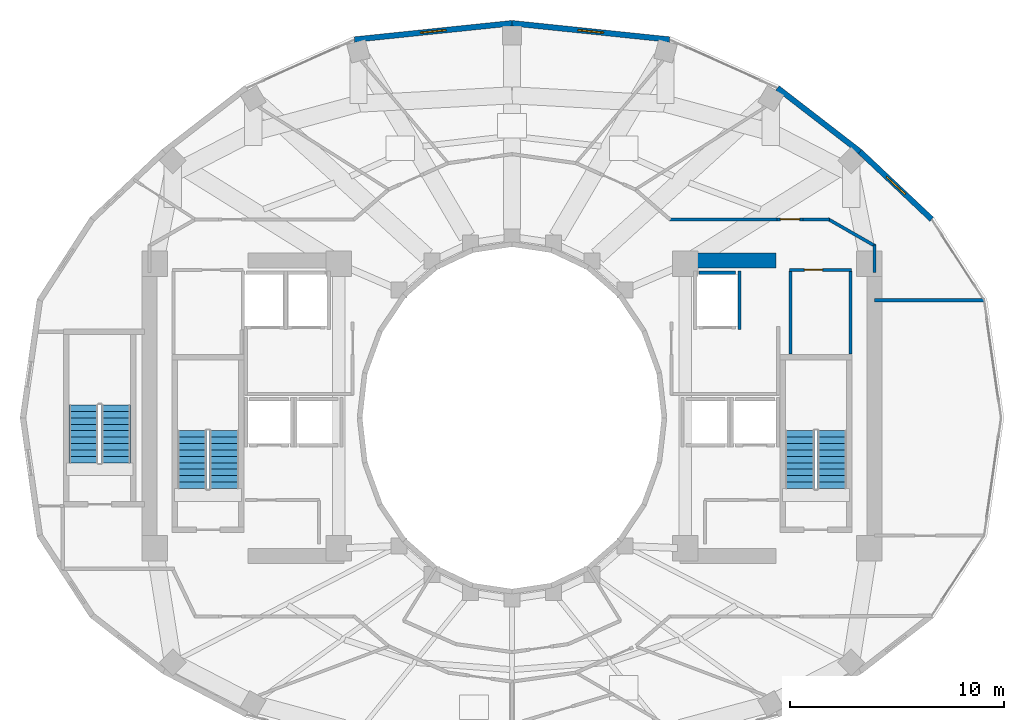
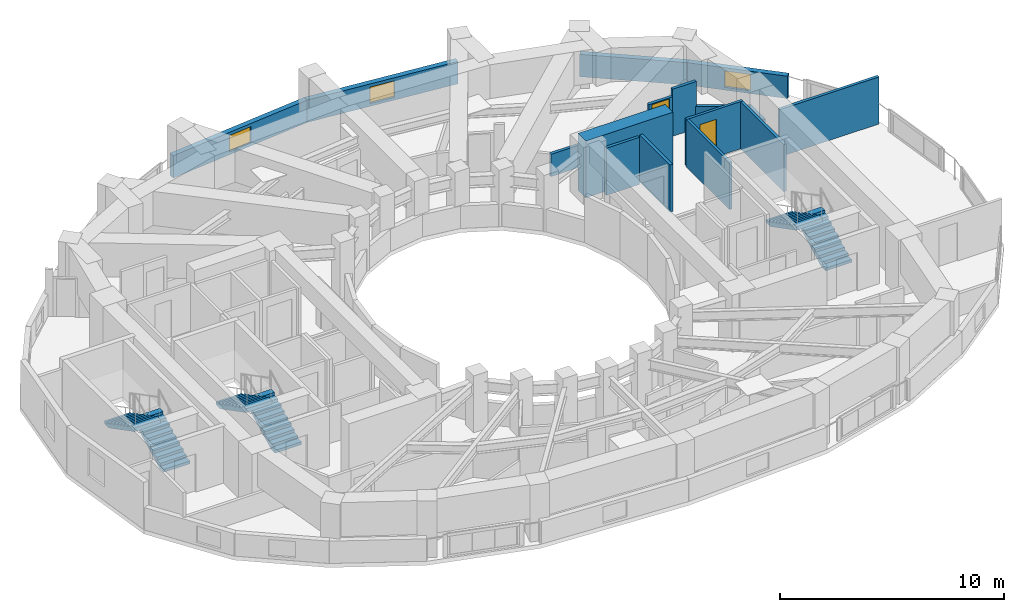
# One storey, part 17 of 20: 16 walls, 6 stair flights, 3 windows, 2 doors, 5 openings, 3 elements without a shape of their own.
"""IFC4 building model written with IfcOpenShell, lengths in metres."""

from ifc_helpers import new_model, si_unit, direction, frame, frame_2d, origin, place, context, subcontext, project, spatial, polyline, rectangle, outline, extrude, material, layer, layer_set, type_object, element, fill, aggregate, save


model = new_model("IFC4")

# Units and contexts
model_context = context("Model", 3, precision=1e-05, world=origin(), true_north=direction((0.0, 1.0)))
body_context = subcontext(model_context, "Body", "Model", "MODEL_VIEW")
ifc_project = project(units=[si_unit("LENGTHUNIT", "METRE"), si_unit("AREAUNIT", "SQUARE_METRE"), si_unit("VOLUMEUNIT", "CUBIC_METRE"), si_unit("PLANEANGLEUNIT", "RADIAN"), si_unit("MASSUNIT", "GRAM", prefix="KILO")], contexts=[model_context])

# Site, building, storey
site_placement = place(None, origin())
site = spatial("IfcSite", under=ifc_project, at=site_placement, CompositionType="ELEMENT")
building_placement = place(site_placement, origin())
building = spatial("IfcBuilding", under=site, at=building_placement, Name="Solvane Sanctuary Tower", CompositionType="ELEMENT")
storey_placement = place(building_placement, frame((0.0, 0.0, 159.10009765625)))
storey = spatial("IfcBuildingStorey", under=building, at=storey_placement, Name="L48", CompositionType="ELEMENT", Elevation=159.10009765625)

# Walls
ifc_material_1 = material(Name="Concrete C60/75", Category="concrete")
ifc_layer_1 = layer(ifc_material_1, 0.699951171875, Name="Concrete C60/75")
ifc_layer_set_1 = layer_set([ifc_layer_1], Name="Concrete C60/75")
wall_type_1 = type_object("IfcWallType", Name="Wall W-CORE-700", PredefinedType="SHEAR", material=ifc_layer_set_1)
wall_1_placement = place(storey_placement, frame((39.85009765625, 30.35009765625, 0.0), z_axis=(0.0, 0.0, 1.0), x_axis=(1.0, 0.0, 0.0)))
element("IfcWall", 1, at=wall_1_placement, inside=storey, type_object=wall_type_1, Name="L48 Core Shear Wall EC-N", PredefinedType="SHEAR", context=body_context, shape_type="SweptSolid", body=[
    extrude(rectangle(XDim=4.5, YDim=0.699951171875, at=frame_2d((2.25, 0.0))), origin(), (0.0, 0.0, 1.0), 3.099853515625),
])
ifc_material_2 = material(Name="Acoustic Gypsum Partition Board")
ifc_layer_2 = layer(ifc_material_2, 0.14990234375, Name="Acoustic Gypsum Partition Board")
ifc_layer_set_2 = layer_set([ifc_layer_2], Name="Acoustic Gypsum Partition Board")
wall_type_2 = type_object("IfcWallType", Name="Wall W-CORR-150", PredefinedType="PARTITIONING", material=ifc_layer_set_2)
wall_2_placement = place(storey_placement, frame((48.949951171875, 28.5029296875, 0.0), z_axis=(0.0, 0.0, 1.0), x_axis=(1.0, 0.0, 0.0)))
element("IfcWall", 2, at=wall_2_placement, inside=storey, type_object=wall_type_2, Name="L48 East Shoulder North Wall", PredefinedType="PARTITIONING", context=body_context, shape_type="SweptSolid", body=[
    extrude(rectangle(XDim=5.14013671875, YDim=0.14990234375, at=frame_2d((2.570068359375, 0.0))), origin(), (0.0, 0.0, 1.0), 2.574951171875),
])
wall_3_placement = place(storey_placement, frame((48.949951171875, 29.800048828125, 0.0), z_axis=(0.0, 0.0, 1.0), x_axis=(0.0, 1.0, 0.0)))
element("IfcWall", 3, at=wall_3_placement, inside=storey, type_object=wall_type_2, Name="L48 NE Corner Closer 1", PredefinedType="PARTITIONING", context=body_context, shape_type="SweptSolid", body=[
    extrude(rectangle(XDim=1.2900390625, YDim=0.14990234375, at=frame_2d((0.64501953125, 0.0))), origin(), (0.0, 0.0, 1.0), 1.219970703125),
])
wall_4_placement = place(storey_placement, frame((39.330078125, 32.280029296875, 0.0), z_axis=(0.0, 0.0, 1.0), x_axis=(1.0, 0.0, 0.0)))
element("IfcWall", 4, at=wall_4_placement, inside=storey, type_object=wall_type_2, Name="L48 NE Corner Corridor Wall", PredefinedType="PARTITIONING", context=body_context, shape_type="SweptSolid", body=[
    extrude(rectangle(XDim=5.059814453125, YDim=0.14990234375, at=frame_2d((2.52978515625, 0.0))), origin(), (0.0, 0.0, 1.0), 1.219970703125),
])

# Wall, opening, door
wall_5_placement = place(storey_placement, frame((44.389892578125, 32.280029296875, 0.0), z_axis=(0.0, 0.0, 1.0), x_axis=(1.0, 0.0, 0.0)))
wall_5 = element("IfcWall", 5, at=wall_5_placement, inside=storey, type_object=wall_type_2, Name="L48 NE Corner Corridor Wall", PredefinedType="PARTITIONING", context=body_context, shape_type="SweptSolid", body=[
    extrude(rectangle(XDim=1.22021484375, YDim=0.14990234375, at=frame_2d((0.610107421875, 0.0))), origin(), (0.0, 0.0, 1.0), 2.159912109375),
])
opening_1_placement = place(wall_5_placement, frame((0.159912109375, 0.0, 0.0)))
opening_1 = element("IfcOpeningElement", 6, at=opening_1_placement, cuts=wall_5, Name="Opening D-L48-11", PredefinedType="OPENING", context=body_context, shape_type="SweptSolid", body=[
    extrude(rectangle(XDim=0.89990234375, YDim=2.10009765625, at=frame_2d((0.449951171875, 1.050048828125))), frame((0.0, 0.0849609375, 0.0), z_axis=(0.0, -1.0, 0.0), x_axis=(1.0, 0.0, 0.0)), (0.0, 0.0, 1.0), 0.169921875),
])
ifc_material_3 = material(Name="Engineered Tropical Hardwood", Category="wood")
door_type_1 = type_object("IfcDoorType", Name="Door D-WET-900", OperationType="NOTDEFINED", PredefinedType="DOOR", material=ifc_material_3)
door_1_placement = place(opening_1_placement, origin())
door_1 = element("IfcDoor", 7, at=door_1_placement, inside=storey, type_object=door_type_1, Name="L48 NE Corner Salon Door", OperationType="SINGLE_SWING_RIGHT", OverallHeight=2.10009765625, OverallWidth=0.89990234375, PredefinedType="DOOR", context=body_context, shape_type="SweptSolid", body=[
    extrude(rectangle(XDim=0.89990234375, YDim=2.10009765625, at=frame_2d((0.449951171875, 1.050048828125))), frame((0.0, 0.02490234375, 0.0), z_axis=(0.0, -1.0, 0.0), x_axis=(1.0, 0.0, 0.0)), (0.0, 0.0, 1.0), 0.050048828125),
])
fill(opening_1, door_1)

# Walls
wall_6_placement = place(storey_placement, frame((45.610107421875, 32.280029296875, 0.0), z_axis=(0.0, 0.0, 1.0), x_axis=(1.0, 0.0, 0.0)))
element("IfcWall", 8, at=wall_6_placement, inside=storey, type_object=wall_type_2, Name="L48 NE Corner Corridor Wall", PredefinedType="PARTITIONING", context=body_context, shape_type="SweptSolid", body=[
    extrude(rectangle(XDim=1.239990234375, YDim=0.14990234375, at=frame_2d((0.6201171875, 0.0))), origin(), (0.0, 0.0, 1.0), 2.574951171875),
])
wall_7_placement = place(storey_placement, frame((46.756591796875, 32.3046875, 0.0), z_axis=(0.0, 0.0, 1.0), x_axis=(0.867991349648, -0.496579315857, 0.0)))
element("IfcWall", 9, at=wall_7_placement, inside=storey, type_object=wall_type_2, Name="L48 NE Corner Wing Wall", PredefinedType="PARTITIONING", context=body_context, shape_type="SweptSolid", body=[
    extrude(rectangle(XDim=2.56689453125, YDim=0.14990234375, at=frame_2d((1.283447265625, 0.0))), origin(), (0.0, 0.0, 1.0), 1.219970703125),
])

# Wall, opening, window
ifc_material_4 = material(Name="Precast concrete C40/50", Category="concrete")
ifc_layer_3 = layer(ifc_material_4, 0.260009765625, Name="Precast concrete C40/50")
ifc_layer_set_3 = layer_set([ifc_layer_3], Name="Precast concrete C40/50")
wall_type_3 = type_object("IfcWallType", Name="Wall W-EXT-250", PredefinedType="STANDARD", material=ifc_layer_set_3)
wall_8_placement = place(storey_placement, frame((51.619140625, 32.28369140625, 0.0), z_axis=(0.0, 0.0, 1.0), x_axis=(-0.727667301037, 0.68593024354, 0.0)))
wall_8 = element("IfcWall", 10, at=wall_8_placement, inside=storey, type_object=wall_type_3, Name="L48 Ceramic-Printed Facade Wall 02", PredefinedType="STANDARD", context=body_context, shape_type="SweptSolid", body=[
    extrude(rectangle(XDim=4.603515625, YDim=0.260009765625, at=frame_2d((2.3017578125, 0.0))), origin(), (0.0, 0.0, 1.0), 1.219970703125),
])
opening_2_placement = place(wall_8_placement, frame((1.70166015625, 0.0, 0.14990234375)))
opening_2 = element("IfcOpeningElement", 11, at=opening_2_placement, cuts=wall_8, Name="Opening WN-OPER-1200", PredefinedType="OPENING", context=body_context, shape_type="SweptSolid", body=[
    extrude(rectangle(XDim=1.199951171875, YDim=0.89990234375, at=frame_2d((0.60009765625, 0.449951171875))), frame((0.0, 0.139892578125, 0.0), z_axis=(0.0, -1.0, 0.0), x_axis=(1.0, 0.0, 0.0)), (0.0, 0.0, 1.0), 0.280029296875),
])
ifc_material_5 = material(Name="Dark Ceramic-Fritted Low-E Glass", Category="glass")
window_type = type_object("IfcWindowType", Name="Window WN-OPER-1200", PartitioningType="SINGLE_PANEL", PredefinedType="WINDOW", material=ifc_material_5)
window_1_placement = place(opening_2_placement, origin())
window_1 = element("IfcWindow", 12, at=window_1_placement, inside=storey, type_object=window_type, Name="L48 Operable Facade Window 02", OverallHeight=0.89990234375, OverallWidth=1.199951171875, PartitioningType="SINGLE_PANEL", PredefinedType="WINDOW", context=body_context, shape_type="SweptSolid", body=[
    extrude(rectangle(XDim=1.199951171875, YDim=0.89990234375, at=frame_2d((0.60009765625, 0.449951171875))), frame((0.0, 0.030029296875, 0.0), z_axis=(0.0, -1.0, 0.0), x_axis=(1.0, 0.0, 0.0)), (0.0, 0.0, 1.0), 0.06005859375),
])
fill(opening_2, window_1)

# Wall
wall_9_placement = place(storey_placement, frame((48.269287109375, 35.44140625, 0.0), z_axis=(0.0, 0.0, 1.0), x_axis=(-0.791460185804, 0.611220724687, 0.0)))
element("IfcWall", 13, at=wall_9_placement, inside=storey, type_object=wall_type_3, Name="L48 Ceramic-Printed Facade Wall 03", PredefinedType="STANDARD", context=body_context, shape_type="SweptSolid", body=[
    extrude(rectangle(XDim=4.872314453125, YDim=0.260009765625, at=frame_2d((2.43603515625, 0.0))), origin(), (0.0, 0.0, 1.0), 1.219970703125),
])

# Wall, opening, window
wall_10_placement = place(storey_placement, frame((39.365234375, 40.6845703125, 0.0), z_axis=(0.0, 0.0, 1.0), x_axis=(-0.994664178965, 0.10316574569, 0.0)))
wall_10 = element("IfcWall", 14, at=wall_10_placement, inside=storey, type_object=wall_type_3, Name="L48 Ceramic-Printed Facade Wall 05", PredefinedType="STANDARD", context=body_context, shape_type="SweptSolid", body=[
    extrude(rectangle(XDim=7.40478515625, YDim=0.260009765625, at=frame_2d((3.702392578125, 0.0))), origin(), (0.0, 0.0, 1.0), 1.219970703125),
])
opening_3_placement = place(wall_10_placement, frame((3.102294921875, 0.0, 0.14990234375)))
opening_3 = element("IfcOpeningElement", 15, at=opening_3_placement, cuts=wall_10, Name="Opening WN-OPER-1200", PredefinedType="OPENING", context=body_context, shape_type="SweptSolid", body=[
    extrude(rectangle(XDim=1.199951171875, YDim=0.89990234375, at=frame_2d((0.60009765625, 0.449951171875))), frame((0.0, 0.139892578125, 0.0), z_axis=(0.0, -1.0, 0.0), x_axis=(1.0, 0.0, 0.0)), (0.0, 0.0, 1.0), 0.280029296875),
])
window_2_placement = place(opening_3_placement, origin())
window_2 = element("IfcWindow", 16, at=window_2_placement, inside=storey, type_object=window_type, Name="L48 Operable Facade Window 05", OverallHeight=0.89990234375, OverallWidth=1.199951171875, PartitioningType="SINGLE_PANEL", PredefinedType="WINDOW", context=body_context, shape_type="SweptSolid", body=[
    extrude(rectangle(XDim=1.199951171875, YDim=0.89990234375, at=frame_2d((0.60009765625, 0.449951171875))), frame((0.0, 0.030029296875, 0.0), z_axis=(0.0, -1.0, 0.0), x_axis=(1.0, 0.0, 0.0)), (0.0, 0.0, 1.0), 0.06005859375),
])
fill(opening_3, window_2)

wall_11_placement = place(storey_placement, frame((32.0, 41.448486328125, 0.0), z_axis=(0.0, 0.0, 1.0), x_axis=(-0.994664178965, -0.10316574569, 0.0)))
wall_11 = element("IfcWall", 17, at=wall_11_placement, inside=storey, type_object=wall_type_3, Name="L48 Ceramic-Printed Facade Wall 06", PredefinedType="STANDARD", context=body_context, shape_type="SweptSolid", body=[
    extrude(rectangle(XDim=7.40478515625, YDim=0.260009765625, at=frame_2d((3.702392578125, 0.0))), origin(), (0.0, 0.0, 1.0), 1.219970703125),
])
opening_4_placement = place(wall_11_placement, frame((3.102294921875, 0.0, 0.14990234375)))
opening_4 = element("IfcOpeningElement", 18, at=opening_4_placement, cuts=wall_11, Name="Opening WN-OPER-1200", PredefinedType="OPENING", context=body_context, shape_type="SweptSolid", body=[
    extrude(rectangle(XDim=1.199951171875, YDim=0.89990234375, at=frame_2d((0.60009765625, 0.449951171875))), frame((0.0, 0.139892578125, 0.0), z_axis=(0.0, -1.0, 0.0), x_axis=(1.0, 0.0, 0.0)), (0.0, 0.0, 1.0), 0.280029296875),
])
window_3_placement = place(opening_4_placement, origin())
window_3 = element("IfcWindow", 19, at=window_3_placement, inside=storey, type_object=window_type, Name="L48 Operable Facade Window 06", OverallHeight=0.89990234375, OverallWidth=1.199951171875, PartitioningType="SINGLE_PANEL", PredefinedType="WINDOW", context=body_context, shape_type="SweptSolid", body=[
    extrude(rectangle(XDim=1.199951171875, YDim=0.89990234375, at=frame_2d((0.60009765625, 0.449951171875))), frame((0.0, 0.030029296875, 0.0), z_axis=(0.0, -1.0, 0.0), x_axis=(1.0, 0.0, 0.0)), (0.0, 0.0, 1.0), 0.06005859375),
])
fill(opening_4, window_3)

# Walls
ifc_material_6 = material(Name="Concrete C50/60", Category="concrete")
ifc_layer_4 = layer(ifc_material_6, 0.14990234375, Name="Concrete C50/60")
ifc_layer_set_4 = layer_set([ifc_layer_4], Name="Concrete C50/60")
wall_type_4 = type_object("IfcWallType", Name="Wall W-SHAFT-150", PredefinedType="SOLIDWALL", material=ifc_layer_set_4)
wall_12_placement = place(storey_placement, frame((40.739990234375, 29.780029296875, 0.0), z_axis=(0.0, 0.0, 1.0), x_axis=(1.0, 0.0, 0.0)))
element("IfcWall", 20, at=wall_12_placement, inside=storey, type_object=wall_type_4, Name="L48 FFL-2 Lift Shaft Wall B", PredefinedType="SOLIDWALL", context=body_context, shape_type="SweptSolid", body=[
    extrude(rectangle(XDim=1.719970703125, YDim=0.14990234375, at=frame_2d((0.85986328125, 0.0))), origin(), (0.0, 0.0, 1.0), 2.574951171875),
])
wall_13_placement = place(storey_placement, frame((42.6298828125, 27.139892578125, 0.0), z_axis=(0.0, 0.0, 1.0), x_axis=(0.0, 1.0, 0.0)))
element("IfcWall", 21, at=wall_13_placement, inside=storey, type_object=wall_type_4, Name="L48 FFL-2 Lift Shaft Wall S2", PredefinedType="SOLIDWALL", context=body_context, shape_type="SweptSolid", body=[
    extrude(rectangle(XDim=2.72021484375, YDim=0.14990234375, at=frame_2d((1.360107421875, 0.0))), origin(), (0.0, 0.0, 1.0), 2.574951171875),
])

# Wall, opening, door
ifc_layer_5 = layer(ifc_material_2, 0.139892578125, Name="Acoustic Gypsum Partition Board")
ifc_layer_set_5 = layer_set([ifc_layer_5], Name="Acoustic Gypsum Partition Board")
wall_type_5 = type_object("IfcWallType", Name="Wall W-WET-140", PredefinedType="PLUMBINGWALL", material=ifc_layer_set_5)
wall_14_placement = place(storey_placement, frame((44.97998046875, 29.919921875, 0.0), z_axis=(0.0, 0.0, 1.0), x_axis=(1.0, 0.0, 0.0)))
wall_14 = element("IfcWall", 22, at=wall_14_placement, inside=storey, type_object=wall_type_5, Name="L48 Core Service Front Wall KE0", PredefinedType="PLUMBINGWALL", context=body_context, shape_type="SweptSolid", body=[
    extrude(rectangle(XDim=2.89990234375, YDim=0.139892578125, at=frame_2d((1.449951171875, 0.0))), origin(), (0.0, 0.0, 1.0), 2.574951171875),
])
opening_5_placement = place(wall_14_placement, frame((0.685546875, 0.0, 0.0)))
opening_5 = element("IfcOpeningElement", 23, at=opening_5_placement, cuts=wall_14, Name="Opening D-L48-09", PredefinedType="OPENING", context=body_context, shape_type="SweptSolid", body=[
    extrude(rectangle(XDim=0.85009765625, YDim=2.050048828125, at=frame_2d((0.425048828125, 1.02490234375))), frame((0.0, 0.079833984375, 0.0), z_axis=(0.0, -1.0, 0.0), x_axis=(1.0, 0.0, 0.0)), (0.0, 0.0, 1.0), 0.159912109375),
])
ifc_material_7 = material(Name="Architectural Stainless Steel 316", Category="steel")
door_type_2 = type_object("IfcDoorType", Name="Door D-RISER", OperationType="NOTDEFINED", PredefinedType="DOOR", material=ifc_material_7)
door_2_placement = place(opening_5_placement, origin())
door_2 = element("IfcDoor", 24, at=door_2_placement, inside=storey, type_object=door_type_2, Name="L48 Core Service Room Door KE0-1", OperationType="SINGLE_SWING_RIGHT", OverallHeight=2.050048828125, OverallWidth=0.85009765625, PredefinedType="DOOR", context=body_context, shape_type="SweptSolid", body=[
    extrude(rectangle(XDim=0.85009765625, YDim=2.050048828125, at=frame_2d((0.425048828125, 1.02490234375))), frame((0.0, 0.02490234375, 0.0), z_axis=(0.0, -1.0, 0.0), x_axis=(1.0, 0.0, 0.0)), (0.0, 0.0, 1.0), 0.050048828125),
])
fill(opening_5, door_2)

# Walls
for number, where, z_axis, x_axis, name in (
    (25, (45.02001953125, 25.97998046875, 0.0), (0.0, 0.0, 1.0), (0.0, 1.0, 0.0), "L48 Core Service Side Wall KE0-1"),
    (26, (47.820068359375, 25.97998046875, 0.0), (0.0, 0.0, 1.0), (0.0, 1.0, 0.0), "L48 Core Service Side Wall KE0-2"),
):
    element("IfcWall", number, at=place(storey_placement, frame(where, z_axis=z_axis, x_axis=x_axis)), inside=storey, type_object=wall_type_5, Name=name, PredefinedType="PLUMBINGWALL", context=body_context, shape_type="SweptSolid", body=[
        extrude(rectangle(XDim=3.880126953125, YDim=0.139892578125, at=frame_2d((1.93994140625, 0.0))), origin(), (0.0, 0.0, 1.0), 2.574951171875),
    ])

# Stair, stair flights
ifc_material_8 = material(Name="Concrete C45/55", Category="concrete")
stair_type = type_object("IfcStairType", Name="Stair ST-TOW", PredefinedType="HALF_TURN_STAIR", material=ifc_material_8)
stair_1_placement = place(storey_placement, origin())
stair_1 = element("IfcStair", 27, at=stair_1_placement, inside=storey, type_object=stair_type, Name="L48 Exit Stair ST-1 West Core", PredefinedType="HALF_TURN_STAIR")
stair_flight_type = type_object("IfcStairFlightType", Name="StairFlight SF-TOW", PredefinedType="STRAIGHT", material=ifc_material_8)
stair_flight_1_placement = place(storey_placement, frame((18.544921875, 19.699951171875, 0.0), z_axis=(0.0, 0.0, 1.0), x_axis=(0.0, 1.0, 0.0)))
stair_flight_1 = element("IfcStairFlight", 28, at=stair_flight_1_placement, type_object=stair_flight_type, Name="ST-1 flight 1", NumberOfRisers=10, NumberOfTreads=9, PredefinedType="STRAIGHT", RiserHeight=0.155, TreadLength=0.3, context=body_context, shape_type="SweptSolid", body=[
    extrude(outline(polyline([(0.0, 0.0), (0.0, 0.155029296875), (0.300048828125, 0.155029296875), (0.300048828125, 0.31005859375), (0.60009765625, 0.31005859375), (0.60009765625, 0.465087890625), (0.89990234375, 0.465087890625), (0.89990234375, 0.6201171875), (1.199951171875, 0.6201171875), (1.199951171875, 0.77490234375), (1.5, 0.77490234375), (1.5, 0.929931640625), (1.800048828125, 0.929931640625), (1.800048828125, 1.0849609375), (2.10009765625, 1.0849609375), (2.10009765625, 1.239990234375), (2.39990234375, 1.239990234375), (2.39990234375, 1.39501953125), (2.699951171875, 1.39501953125), (2.699951171875, 1.550048828125), (2.699951171875, 1.1923828125), (0.39208984375, 0.0), (0.0, 0.0)])), frame((0.0, 0.675048828125, 0.0), z_axis=(0.0, -1.0, 0.0), x_axis=(1.0, 0.0, 0.0)), (0.0, 0.0, 1.0), 1.35009765625),
])
stair_flight_2_placement = place(storey_placement, frame((17.034912109375, 22.39990234375, 1.5498046875), z_axis=(0.0, 0.0, 1.0), x_axis=(0.0, -1.0, 0.0)))
stair_flight_2 = element("IfcStairFlight", 29, at=stair_flight_2_placement, type_object=stair_flight_type, Name="ST-1 flight 2", NumberOfRisers=10, NumberOfTreads=9, PredefinedType="STRAIGHT", RiserHeight=0.155, TreadLength=0.3, context=body_context, shape_type="SweptSolid", body=[
    extrude(outline(polyline([(0.0, 0.0), (0.0, 0.155029296875), (0.300048828125, 0.155029296875), (0.300048828125, 0.31005859375), (0.60009765625, 0.31005859375), (0.60009765625, 0.465087890625), (0.89990234375, 0.465087890625), (0.89990234375, 0.6201171875), (1.199951171875, 0.6201171875), (1.199951171875, 0.77490234375), (1.5, 0.77490234375), (1.5, 0.929931640625), (1.800048828125, 0.929931640625), (1.800048828125, 1.0849609375), (2.10009765625, 1.0849609375), (2.10009765625, 1.239990234375), (2.39990234375, 1.239990234375), (2.39990234375, 1.39501953125), (2.699951171875, 1.39501953125), (2.699951171875, 1.550048828125), (2.699951171875, 1.1923828125), (0.39208984375, 0.0), (0.0, 0.0)])), frame((0.0, 0.675048828125, 0.0), z_axis=(0.0, -1.0, 0.0), x_axis=(1.0, 0.0, 0.0)), (0.0, 0.0, 1.0), 1.35009765625),
])
aggregate(stair_1, [stair_flight_1, stair_flight_2])

stair_2_placement = place(storey_placement, origin())
stair_2 = element("IfcStair", 30, at=stair_2_placement, inside=storey, type_object=stair_type, Name="L48 Exit Stair ST-2 East Core", PredefinedType="HALF_TURN_STAIR")
stair_flight_3_placement = place(storey_placement, frame((46.965087890625, 19.699951171875, 0.0), z_axis=(0.0, 0.0, 1.0), x_axis=(0.0, 1.0, 0.0)))
stair_flight_3 = element("IfcStairFlight", 31, at=stair_flight_3_placement, type_object=stair_flight_type, Name="ST-2 flight 1", NumberOfRisers=10, NumberOfTreads=9, PredefinedType="STRAIGHT", RiserHeight=0.155, TreadLength=0.3, context=body_context, shape_type="SweptSolid", body=[
    extrude(outline(polyline([(0.0, 0.0), (0.0, 0.155029296875), (0.300048828125, 0.155029296875), (0.300048828125, 0.31005859375), (0.60009765625, 0.31005859375), (0.60009765625, 0.465087890625), (0.89990234375, 0.465087890625), (0.89990234375, 0.6201171875), (1.199951171875, 0.6201171875), (1.199951171875, 0.77490234375), (1.5, 0.77490234375), (1.5, 0.929931640625), (1.800048828125, 0.929931640625), (1.800048828125, 1.0849609375), (2.10009765625, 1.0849609375), (2.10009765625, 1.239990234375), (2.39990234375, 1.239990234375), (2.39990234375, 1.39501953125), (2.699951171875, 1.39501953125), (2.699951171875, 1.550048828125), (2.699951171875, 1.1923828125), (0.39208984375, 0.0), (0.0, 0.0)])), frame((0.0, 0.675048828125, 0.0), z_axis=(0.0, -1.0, 0.0), x_axis=(1.0, 0.0, 0.0)), (0.0, 0.0, 1.0), 1.35009765625),
])
stair_flight_4_placement = place(storey_placement, frame((45.455078125, 22.39990234375, 1.5498046875), z_axis=(0.0, 0.0, 1.0), x_axis=(0.0, -1.0, 0.0)))
stair_flight_4 = element("IfcStairFlight", 32, at=stair_flight_4_placement, type_object=stair_flight_type, Name="ST-2 flight 2", NumberOfRisers=10, NumberOfTreads=9, PredefinedType="STRAIGHT", RiserHeight=0.155, TreadLength=0.3, context=body_context, shape_type="SweptSolid", body=[
    extrude(outline(polyline([(0.0, 0.0), (0.0, 0.155029296875), (0.300048828125, 0.155029296875), (0.300048828125, 0.31005859375), (0.60009765625, 0.31005859375), (0.60009765625, 0.465087890625), (0.89990234375, 0.465087890625), (0.89990234375, 0.6201171875), (1.199951171875, 0.6201171875), (1.199951171875, 0.77490234375), (1.5, 0.77490234375), (1.5, 0.929931640625), (1.800048828125, 0.929931640625), (1.800048828125, 1.0849609375), (2.10009765625, 1.0849609375), (2.10009765625, 1.239990234375), (2.39990234375, 1.239990234375), (2.39990234375, 1.39501953125), (2.699951171875, 1.39501953125), (2.699951171875, 1.550048828125), (2.699951171875, 1.1923828125), (0.39208984375, 0.0), (0.0, 0.0)])), frame((0.0, 0.675048828125, 0.0), z_axis=(0.0, -1.0, 0.0), x_axis=(1.0, 0.0, 0.0)), (0.0, 0.0, 1.0), 1.35009765625),
])
aggregate(stair_2, [stair_flight_3, stair_flight_4])

stair_3_placement = place(storey_placement, origin())
stair_3 = element("IfcStair", 33, at=stair_3_placement, inside=storey, type_object=stair_type, Name="L48 Exit Stair ST-3 Pilgrim Tower Stair", PredefinedType="HALF_TURN_STAIR")
stair_flight_5_placement = place(storey_placement, frame((13.485107421875, 20.89990234375, 0.0), z_axis=(0.0, 0.0, 1.0), x_axis=(0.0, 1.0, 0.0)))
stair_flight_5 = element("IfcStairFlight", 34, at=stair_flight_5_placement, type_object=stair_flight_type, Name="ST-3 flight 1", NumberOfRisers=10, NumberOfTreads=9, PredefinedType="STRAIGHT", RiserHeight=0.155, TreadLength=0.3, context=body_context, shape_type="SweptSolid", body=[
    extrude(outline(polyline([(0.0, 0.0), (0.0, 0.155029296875), (0.300048828125, 0.155029296875), (0.300048828125, 0.31005859375), (0.60009765625, 0.31005859375), (0.60009765625, 0.465087890625), (0.89990234375, 0.465087890625), (0.89990234375, 0.6201171875), (1.199951171875, 0.6201171875), (1.199951171875, 0.77490234375), (1.5, 0.77490234375), (1.5, 0.929931640625), (1.800048828125, 0.929931640625), (1.800048828125, 1.0849609375), (2.10009765625, 1.0849609375), (2.10009765625, 1.239990234375), (2.39990234375, 1.239990234375), (2.39990234375, 1.39501953125), (2.699951171875, 1.39501953125), (2.699951171875, 1.550048828125), (2.699951171875, 1.1923828125), (0.39208984375, 0.0), (0.0, 0.0)])), frame((0.0, 0.675048828125, 0.0), z_axis=(0.0, -1.0, 0.0), x_axis=(1.0, 0.0, 0.0)), (0.0, 0.0, 1.0), 1.35009765625),
])
stair_flight_6_placement = place(storey_placement, frame((11.97509765625, 23.60009765625, 1.5498046875), z_axis=(0.0, 0.0, 1.0), x_axis=(0.0, -1.0, 0.0)))
stair_flight_6 = element("IfcStairFlight", 35, at=stair_flight_6_placement, type_object=stair_flight_type, Name="ST-3 flight 2", NumberOfRisers=10, NumberOfTreads=9, PredefinedType="STRAIGHT", RiserHeight=0.155, TreadLength=0.3, context=body_context, shape_type="SweptSolid", body=[
    extrude(outline(polyline([(0.0, 0.0), (0.0, 0.155029296875), (0.300048828125, 0.155029296875), (0.300048828125, 0.31005859375), (0.60009765625, 0.31005859375), (0.60009765625, 0.465087890625), (0.89990234375, 0.465087890625), (0.89990234375, 0.6201171875), (1.199951171875, 0.6201171875), (1.199951171875, 0.77490234375), (1.5, 0.77490234375), (1.5, 0.929931640625), (1.800048828125, 0.929931640625), (1.800048828125, 1.0849609375), (2.10009765625, 1.0849609375), (2.10009765625, 1.239990234375), (2.39990234375, 1.239990234375), (2.39990234375, 1.39501953125), (2.699951171875, 1.39501953125), (2.699951171875, 1.550048828125), (2.699951171875, 1.1923828125), (0.39208984375, 0.0), (0.0, 0.0)])), frame((0.0, 0.675048828125, 0.0), z_axis=(0.0, -1.0, 0.0), x_axis=(1.0, 0.0, 0.0)), (0.0, 0.0, 1.0), 1.35009765625),
])
aggregate(stair_3, [stair_flight_5, stair_flight_6])

save(model, "model.ifc")
